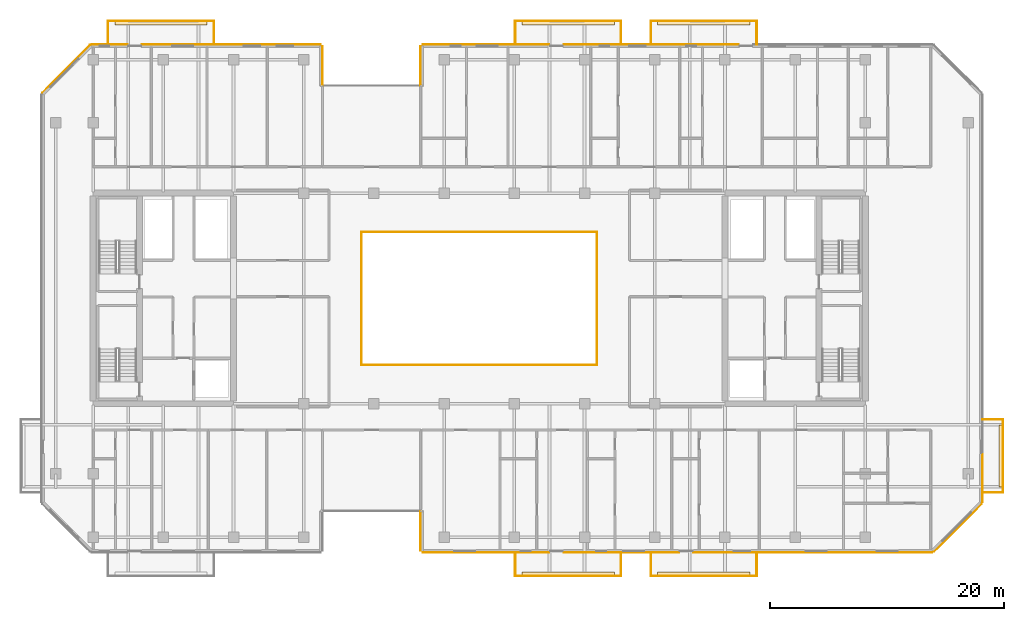
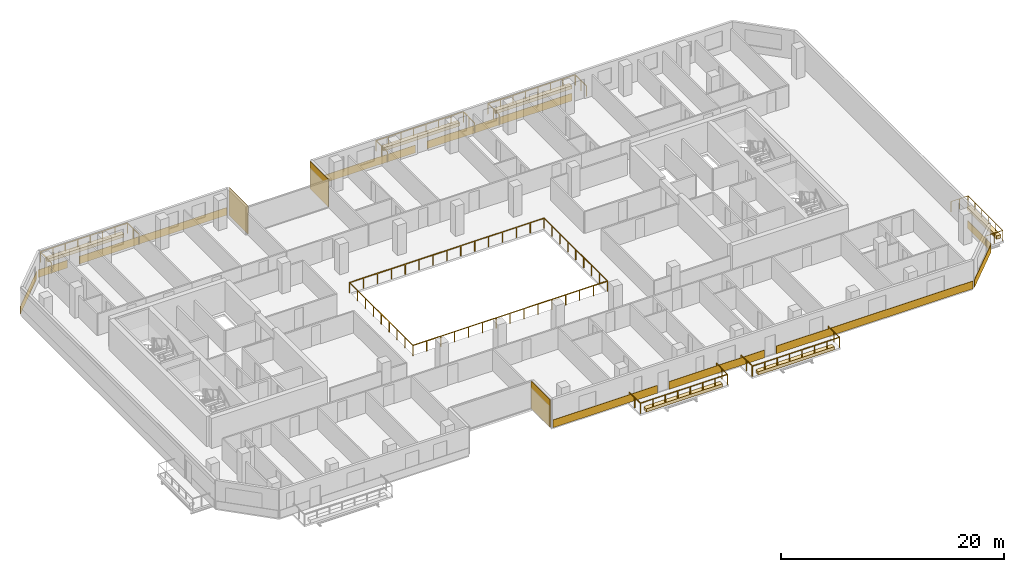
# One storey, part 18 of 19: 19 coverings, 8 railings.
"""IFC4 building model written with IfcOpenShell, lengths in metres."""

from ifc_helpers import new_model, si_unit, direction, frame, origin, origin_2d, place, context, subcontext, project, spatial, polyline, rectangle, outline, extrude, material, layer, layer_set, type_object, element, save


model = new_model("IFC4")

# Units and contexts
model_context = context("Model", 3, precision=1e-05, world=origin(), true_north=direction((0.0, 1.0)))
body_context = subcontext(model_context, "Body", "Model", "MODEL_VIEW")
ifc_project = project(units=[si_unit("LENGTHUNIT", "METRE"), si_unit("AREAUNIT", "SQUARE_METRE"), si_unit("VOLUMEUNIT", "CUBIC_METRE"), si_unit("PLANEANGLEUNIT", "RADIAN"), si_unit("MASSUNIT", "GRAM", prefix="KILO")], contexts=[model_context])

# Site, building, storey
site_placement = place(None, origin())
site = spatial("IfcSite", under=ifc_project, at=site_placement, CompositionType="ELEMENT")
building_placement = place(site_placement, origin())
building = spatial("IfcBuilding", under=site, at=building_placement, Name="Tanjung Sevakor Pilgrim Tower", CompositionType="ELEMENT")
storey_placement = place(building_placement, frame((0.0, 0.0, 132.0)))
storey = spatial("IfcBuildingStorey", under=building, at=storey_placement, Name="L36", CompositionType="ELEMENT", Elevation=132.0)

# Coverings
ifc_material_1 = material(Name="Reconstructed Limestone Cladding", Category="masonry")
ifc_layer_1 = layer(ifc_material_1, 0.044921875)
ifc_layer_set_1 = layer_set([ifc_layer_1], Name="COV-CLAD-LIMESTONE")
covering_type_1 = type_object("IfcCoveringType", Name="COV-CLAD-LIMESTONE", PredefinedType="CLADDING", material=ifc_layer_set_1)
covering_1_placement = place(storey_placement, frame((51.9775390625, 13.72509765625, 0.02001953125), z_axis=(0.0, 0.0, 1.0), x_axis=(0.0, -1.0, 0.0)))
element("IfcCovering", 1, at=covering_1_placement, inside=storey, type_object=covering_type_1, Name="L36 Warm Limestone Wall Cladding EW-L36-MAIN-4", PredefinedType="CLADDING", context=body_context, shape_type="SweptSolid", body=[
    extrude(rectangle(XDim=3.360107421875, YDim=0.044921875, at=origin_2d()), origin(), (0.0, 0.0, 1.0), 3.0400390625),
])
covering_2_placement = place(storey_placement, frame((57.577392578125, 11.87744140625, 0.009765625), z_axis=(0.0, 0.0, 1.0), x_axis=(1.0, 0.0, 0.0)))
element("IfcCovering", 2, at=covering_2_placement, inside=storey, type_object=covering_type_1, Name="L36 Warm Limestone Sill Spandrel EW-L36-MAIN-5-1", PredefinedType="CLADDING", context=body_context, shape_type="SweptSolid", body=[
    extrude(rectangle(XDim=10.824951171875, YDim=0.044921875, at=origin_2d()), origin(), (0.0, 0.0, 1.0), 0.840087890625),
])
covering_3_placement = place(storey_placement, frame((69.14990234375, 11.87744140625, 0.009765625), z_axis=(0.0, 0.0, 1.0), x_axis=(1.0, 0.0, 0.0)))
element("IfcCovering", 3, at=covering_3_placement, inside=storey, type_object=covering_type_1, Name="L36 Warm Limestone Sill Spandrel EW-L36-MAIN-5-2", PredefinedType="CLADDING", context=body_context, shape_type="SweptSolid", body=[
    extrude(rectangle(XDim=9.8798828125, YDim=0.044921875, at=origin_2d()), origin(), (0.0, 0.0, 1.0), 0.840087890625),
])
covering_4_placement = place(storey_placement, frame((85.509033203125, 11.87744140625, 0.009765625), z_axis=(0.0, 0.0, 1.0), x_axis=(1.0, 0.0, 0.0)))
element("IfcCovering", 4, at=covering_4_placement, inside=storey, type_object=covering_type_1, Name="L36 Warm Limestone Sill Spandrel EW-L36-MAIN-5-3", PredefinedType="CLADDING", context=body_context, shape_type="SweptSolid", body=[
    extrude(rectangle(XDim=20.398193359375, YDim=0.044921875, at=origin_2d()), origin(), (0.0, 0.0, 1.0), 0.840087890625),
])
covering_5_placement = place(storey_placement, frame((97.916015625, 13.984130859375, 0.009765625), z_axis=(0.0, 0.0, 1.0), x_axis=(0.707106781187, 0.707106781187, 0.0)))
element("IfcCovering", 5, at=covering_5_placement, inside=storey, type_object=covering_type_1, Name="L36 Warm Limestone Sill Spandrel EW-CHM-L36-MAIN-5-1", PredefinedType="CLADDING", context=body_context, shape_type="SweptSolid", body=[
    extrude(rectangle(XDim=5.756103515625, YDim=0.044921875, at=origin_2d()), origin(), (0.0, 0.0, 1.0), 0.840087890625),
])
covering_6_placement = place(storey_placement, frame((100.0224609375, 18.240966796875, 0.009765625), z_axis=(0.0, 0.0, 1.0), x_axis=(0.0, 1.0, 0.0)))
element("IfcCovering", 6, at=covering_6_placement, inside=storey, type_object=covering_type_1, Name="L36 Warm Limestone Sill Spandrel EW-L36-MAIN-7-1", PredefinedType="CLADDING", context=body_context, shape_type="SweptSolid", body=[
    extrude(rectangle(XDim=4.09814453125, YDim=0.044921875, at=origin_2d()), origin(), (0.0, 0.0, 1.0), 0.840087890625),
])
covering_7_placement = place(storey_placement, frame((71.699951171875, 55.322509765625, 0.009765625), z_axis=(0.0, 0.0, 1.0), x_axis=(-1.0, 0.0, 0.0)))
element("IfcCovering", 7, at=covering_7_placement, inside=storey, type_object=covering_type_1, Name="L36 Warm Limestone Sill Spandrel EW-L36-MAIN-9-2", PredefinedType="CLADDING", context=body_context, shape_type="SweptSolid", body=[
    extrude(rectangle(XDim=14.97998046875, YDim=0.044921875, at=origin_2d()), origin(), (0.0, 0.0, 1.0), 0.840087890625),
])
covering_8_placement = place(storey_placement, frame((57.577392578125, 55.322509765625, 0.009765625), z_axis=(0.0, 0.0, 1.0), x_axis=(-1.0, 0.0, 0.0)))
element("IfcCovering", 8, at=covering_8_placement, inside=storey, type_object=covering_type_1, Name="L36 Warm Limestone Sill Spandrel EW-L36-MAIN-9-3", PredefinedType="CLADDING", context=body_context, shape_type="SweptSolid", body=[
    extrude(rectangle(XDim=10.824951171875, YDim=0.044921875, at=origin_2d()), origin(), (0.0, 0.0, 1.0), 0.840087890625),
])
for number, where, z_axis, x_axis, name in (
    (9, (51.9775390625, 53.47509765625, 0.02001953125), (0.0, 0.0, 1.0), (0.0, -1.0, 0.0), "L36 Warm Limestone Wall Cladding EW-L36-MAIN-10"),
    (10, (43.62255859375, 53.47509765625, 0.02001953125), (0.0, 0.0, 1.0), (0.0, 1.0, 0.0), "L36 Warm Limestone Wall Cladding EW-L36-MAIN-12"),
):
    element("IfcCovering", number, at=place(storey_placement, frame(where, z_axis=z_axis, x_axis=x_axis)), inside=storey, type_object=covering_type_1, Name=name, PredefinedType="CLADDING", context=body_context, shape_type="SweptSolid", body=[
        extrude(rectangle(XDim=3.360107421875, YDim=0.044921875, at=origin_2d()), origin(), (0.0, 0.0, 1.0), 3.0400390625),
    ])
covering_9_placement = place(storey_placement, frame((35.797607421875, 55.322509765625, 0.009765625), z_axis=(0.0, 0.0, 1.0), x_axis=(-1.0, 0.0, 0.0)))
element("IfcCovering", 11, at=covering_9_placement, inside=storey, type_object=covering_type_1, Name="L36 Warm Limestone Sill Spandrel EW-L36-MAIN-13-1", PredefinedType="CLADDING", context=body_context, shape_type="SweptSolid", body=[
    extrude(rectangle(XDim=15.27490234375, YDim=0.044921875, at=origin_2d()), origin(), (0.0, 0.0, 1.0), 0.840087890625),
])
covering_10_placement = place(storey_placement, frame((25.416015625, 55.322509765625, 0.009765625), z_axis=(0.0, 0.0, 1.0), x_axis=(-1.0, 0.0, 0.0)))
element("IfcCovering", 12, at=covering_10_placement, inside=storey, type_object=covering_type_1, Name="L36 Warm Limestone Sill Spandrel EW-L36-MAIN-13-2", PredefinedType="CLADDING", context=body_context, shape_type="SweptSolid", body=[
    extrude(rectangle(XDim=3.048095703125, YDim=0.044921875, at=origin_2d()), origin(), (0.0, 0.0, 1.0), 0.840087890625),
])
covering_11_placement = place(storey_placement, frame((21.68408203125, 53.2158203125, 0.009765625), z_axis=(0.0, 0.0, 1.0), x_axis=(-0.707106781187, -0.707106781187, 0.0)))
element("IfcCovering", 13, at=covering_11_placement, inside=storey, type_object=covering_type_1, Name="L36 Warm Limestone Sill Spandrel EW-CHM-L36-MAIN-13-1", PredefinedType="CLADDING", context=body_context, shape_type="SweptSolid", body=[
    extrude(rectangle(XDim=5.756103515625, YDim=0.044921875, at=origin_2d()), origin(), (0.0, 0.0, 1.0), 0.840087890625),
])
ifc_material_2 = material(Name="Vegetated Modular Planter Assembly", Category="organic")
ifc_layer_2 = layer(ifc_material_2, 0.35009765625)
ifc_layer_set_2 = layer_set([ifc_layer_2], Name="COV-GRN-TROUGH")
covering_type_2 = type_object("IfcCoveringType", Name="COV-GRN-TROUGH", PredefinedType="CLADDING", material=ifc_layer_set_2)
covering_12_placement = place(storey_placement, origin())
element("IfcCovering", 14, at=covering_12_placement, inside=storey, type_object=covering_type_2, Name="L36 Planted Landscape Hedge Trough BGRN-L36-MAIN-N1", PredefinedType="CLADDING", context=body_context, shape_type="SweptSolid", body=[
    extrude(outline(polyline([(25.85009765625, 56.9599609375), (33.75, 56.9599609375), (33.75, 57.39990234375), (25.85009765625, 57.39990234375), (25.85009765625, 56.9599609375)])), origin(), (0.0, 0.0, 1.0), 0.35009765625),
])
covering_13_placement = place(storey_placement, origin())
element("IfcCovering", 15, at=covering_13_placement, inside=storey, type_object=covering_type_2, Name="L36 Planted Landscape Hedge Trough BGRN-L36-MAIN-S2", PredefinedType="CLADDING", context=body_context, shape_type="SweptSolid", body=[
    extrude(outline(polyline([(60.64990234375, 9.800048828125), (68.550048828125, 9.800048828125), (68.550048828125, 10.239990234375), (60.64990234375, 10.239990234375), (60.64990234375, 9.800048828125)])), origin(), (0.0, 0.0, 1.0), 0.35009765625),
])
covering_14_placement = place(storey_placement, origin())
element("IfcCovering", 16, at=covering_14_placement, inside=storey, type_object=covering_type_2, Name="L36 Planted Landscape Hedge Trough BGRN-L36-MAIN-N2", PredefinedType="CLADDING", context=body_context, shape_type="SweptSolid", body=[
    extrude(outline(polyline([(60.64990234375, 56.9599609375), (68.550048828125, 56.9599609375), (68.550048828125, 57.39990234375), (60.64990234375, 57.39990234375), (60.64990234375, 56.9599609375)])), origin(), (0.0, 0.0, 1.0), 0.35009765625),
])
covering_15_placement = place(storey_placement, origin())
element("IfcCovering", 17, at=covering_15_placement, inside=storey, type_object=covering_type_2, Name="L36 Planted Landscape Hedge Trough BGRN-L36-MAIN-S3", PredefinedType="CLADDING", context=body_context, shape_type="SweptSolid", body=[
    extrude(outline(polyline([(72.25, 9.800048828125), (80.14990234375, 9.800048828125), (80.14990234375, 10.239990234375), (72.25, 10.239990234375), (72.25, 9.800048828125)])), origin(), (0.0, 0.0, 1.0), 0.35009765625),
])
covering_16_placement = place(storey_placement, origin())
element("IfcCovering", 18, at=covering_16_placement, inside=storey, type_object=covering_type_2, Name="L36 Planted Landscape Hedge Trough BGRN-L36-MAIN-N3", PredefinedType="CLADDING", context=body_context, shape_type="SweptSolid", body=[
    extrude(outline(polyline([(72.25, 56.9599609375), (80.14990234375, 56.9599609375), (80.14990234375, 57.39990234375), (72.25, 57.39990234375), (72.25, 56.9599609375)])), origin(), (0.0, 0.0, 1.0), 0.35009765625),
])
covering_17_placement = place(storey_placement, origin())
element("IfcCovering", 19, at=covering_17_placement, inside=storey, type_object=covering_type_2, Name="L36 Planted Landscape Hedge Trough BGRN-L36-MAIN-E1", PredefinedType="CLADDING", context=body_context, shape_type="SweptSolid", body=[
    extrude(outline(polyline([(101.85009765625, 17.5), (101.85009765625, 22.800048828125), (101.409912109375, 22.800048828125), (101.409912109375, 17.5), (101.85009765625, 17.5)])), origin(), (0.0, 0.0, 1.0), 0.35009765625),
])

# Railings
ifc_material_3 = material(Name="Laminated Glass and Aluminium", Category="aluminium")
railing_type = type_object("IfcRailingType", Name="RL-BAL-BALUST", PredefinedType="BALUSTRADE", material=ifc_material_3)
railing_1_placement = place(storey_placement, frame((46.919921875, 27.919921875, 0.0)))
element("IfcRailing", 20, at=railing_1_placement, inside=storey, type_object=railing_type, Name="L36 Void Opening Balustrade 1A", PredefinedType="BALUSTRADE", context=body_context, shape_type="SweptSolid", body=[
    extrude(rectangle(XDim=0.0479, YDim=0.0479), frame((0.0, 0.0, 1.1259765625), z_axis=(1.0, 0.0, 0.0), x_axis=(0.0, 1.0, 0.0)), (0.0, 0.0, 1.0), 20.16015625),
    extrude(rectangle(XDim=0.0479, YDim=0.0479), frame((20.16015625, 0.0, 1.1259765625), z_axis=(0.0, 1.0, 0.0), x_axis=(-1.0, 0.0, 0.0)), (0.0, 0.0, 1.0), 11.360107421875),
    extrude(rectangle(XDim=0.042, YDim=0.042), origin(), (0.0, 0.0, 1.0), 1.101806640625),
    extrude(rectangle(XDim=0.042, YDim=0.042), frame((1.43994140625, 0.0, 0.0)), (0.0, 0.0, 1.0), 1.101806640625),
    extrude(rectangle(XDim=0.042, YDim=0.042), frame((2.880126953125, 0.0, 0.0)), (0.0, 0.0, 1.0), 1.101806640625),
    extrude(rectangle(XDim=0.042, YDim=0.042), frame((4.320068359375, 0.0, 0.0)), (0.0, 0.0, 1.0), 1.101806640625),
    extrude(rectangle(XDim=0.042, YDim=0.042), frame((5.760009765625, 0.0, 0.0)), (0.0, 0.0, 1.0), 1.101806640625),
    extrude(rectangle(XDim=0.042, YDim=0.042), frame((7.199951171875, 0.0, 0.0)), (0.0, 0.0, 1.0), 1.101806640625),
    extrude(rectangle(XDim=0.042, YDim=0.042), frame((8.64013671875, 0.0, 0.0)), (0.0, 0.0, 1.0), 1.101806640625),
    extrude(rectangle(XDim=0.042, YDim=0.042), frame((10.080078125, 0.0, 0.0)), (0.0, 0.0, 1.0), 1.101806640625),
    extrude(rectangle(XDim=0.042, YDim=0.042), frame((11.52001953125, 0.0, 0.0)), (0.0, 0.0, 1.0), 1.101806640625),
    extrude(rectangle(XDim=0.042, YDim=0.042), frame((12.960205078125, 0.0, 0.0)), (0.0, 0.0, 1.0), 1.101806640625),
    extrude(rectangle(XDim=0.042, YDim=0.042), frame((14.400146484375, 0.0, 0.0)), (0.0, 0.0, 1.0), 1.101806640625),
    extrude(rectangle(XDim=0.042, YDim=0.042), frame((15.840087890625, 0.0, 0.0)), (0.0, 0.0, 1.0), 1.101806640625),
    extrude(rectangle(XDim=0.042, YDim=0.042), frame((17.280029296875, 0.0, 0.0)), (0.0, 0.0, 1.0), 1.101806640625),
    extrude(rectangle(XDim=0.042, YDim=0.042), frame((18.72021484375, 0.0, 0.0)), (0.0, 0.0, 1.0), 1.101806640625),
    extrude(rectangle(XDim=0.042, YDim=0.042), frame((20.16015625, 0.0, 0.0)), (0.0, 0.0, 1.0), 1.101806640625),
    extrude(rectangle(XDim=0.042, YDim=0.042), frame((20.16015625, 1.419921875, 0.0)), (0.0, 0.0, 1.0), 1.101806640625),
    extrude(rectangle(XDim=0.042, YDim=0.042), frame((20.16015625, 2.840087890625, 0.0)), (0.0, 0.0, 1.0), 1.101806640625),
    extrude(rectangle(XDim=0.042, YDim=0.042), frame((20.16015625, 4.260009765625, 0.0)), (0.0, 0.0, 1.0), 1.101806640625),
    extrude(rectangle(XDim=0.042, YDim=0.042), frame((20.16015625, 5.68017578125, 0.0)), (0.0, 0.0, 1.0), 1.101806640625),
    extrude(rectangle(XDim=0.042, YDim=0.042), frame((20.16015625, 7.10009765625, 0.0)), (0.0, 0.0, 1.0), 1.101806640625),
    extrude(rectangle(XDim=0.042, YDim=0.042), frame((20.16015625, 8.52001953125, 0.0)), (0.0, 0.0, 1.0), 1.101806640625),
    extrude(rectangle(XDim=0.042, YDim=0.042), frame((20.16015625, 9.940185546875, 0.0)), (0.0, 0.0, 1.0), 1.101806640625),
    extrude(rectangle(XDim=0.042, YDim=0.042), frame((20.16015625, 11.360107421875, 0.0)), (0.0, 0.0, 1.0), 1.101806640625),
])
railing_2_placement = place(storey_placement, frame((67.080078125, 39.280029296875, 0.0)))
element("IfcRailing", 21, at=railing_2_placement, inside=storey, type_object=railing_type, Name="L36 Void Opening Balustrade 1B", PredefinedType="BALUSTRADE", context=body_context, shape_type="SweptSolid", body=[
    extrude(rectangle(XDim=0.0479, YDim=0.0479), frame((0.0, 0.0, 1.1259765625), z_axis=(-1.0, 0.0, 0.0), x_axis=(0.0, -1.0, 0.0)), (0.0, 0.0, 1.0), 20.16015625),
    extrude(rectangle(XDim=0.0479, YDim=0.0479), frame((-20.16015625, 0.0, 1.1259765625), z_axis=(0.0, -1.0, 0.0), x_axis=(1.0, 0.0, 0.0)), (0.0, 0.0, 1.0), 11.360107421875),
    extrude(rectangle(XDim=0.042, YDim=0.042), origin(), (0.0, 0.0, 1.0), 1.101806640625),
    extrude(rectangle(XDim=0.042, YDim=0.042), frame((-1.43994140625, 0.0, 0.0)), (0.0, 0.0, 1.0), 1.101806640625),
    extrude(rectangle(XDim=0.042, YDim=0.042), frame((-2.880126953125, 0.0, 0.0)), (0.0, 0.0, 1.0), 1.101806640625),
    extrude(rectangle(XDim=0.042, YDim=0.042), frame((-4.320068359375, 0.0, 0.0)), (0.0, 0.0, 1.0), 1.101806640625),
    extrude(rectangle(XDim=0.042, YDim=0.042), frame((-5.760009765625, 0.0, 0.0)), (0.0, 0.0, 1.0), 1.101806640625),
    extrude(rectangle(XDim=0.042, YDim=0.042), frame((-7.199951171875, 0.0, 0.0)), (0.0, 0.0, 1.0), 1.101806640625),
    extrude(rectangle(XDim=0.042, YDim=0.042), frame((-8.64013671875, 0.0, 0.0)), (0.0, 0.0, 1.0), 1.101806640625),
    extrude(rectangle(XDim=0.042, YDim=0.042), frame((-10.080078125, 0.0, 0.0)), (0.0, 0.0, 1.0), 1.101806640625),
    extrude(rectangle(XDim=0.042, YDim=0.042), frame((-11.52001953125, 0.0, 0.0)), (0.0, 0.0, 1.0), 1.101806640625),
    extrude(rectangle(XDim=0.042, YDim=0.042), frame((-12.960205078125, 0.0, 0.0)), (0.0, 0.0, 1.0), 1.101806640625),
    extrude(rectangle(XDim=0.042, YDim=0.042), frame((-14.400146484375, 0.0, 0.0)), (0.0, 0.0, 1.0), 1.101806640625),
    extrude(rectangle(XDim=0.042, YDim=0.042), frame((-15.840087890625, 0.0, 0.0)), (0.0, 0.0, 1.0), 1.101806640625),
    extrude(rectangle(XDim=0.042, YDim=0.042), frame((-17.280029296875, 0.0, 0.0)), (0.0, 0.0, 1.0), 1.101806640625),
    extrude(rectangle(XDim=0.042, YDim=0.042), frame((-18.72021484375, 0.0, 0.0)), (0.0, 0.0, 1.0), 1.101806640625),
    extrude(rectangle(XDim=0.042, YDim=0.042), frame((-20.16015625, 0.0, 0.0)), (0.0, 0.0, 1.0), 1.101806640625),
    extrude(rectangle(XDim=0.042, YDim=0.042), frame((-20.16015625, -1.419921875, 0.0)), (0.0, 0.0, 1.0), 1.101806640625),
    extrude(rectangle(XDim=0.042, YDim=0.042), frame((-20.16015625, -2.840087890625, 0.0)), (0.0, 0.0, 1.0), 1.101806640625),
    extrude(rectangle(XDim=0.042, YDim=0.042), frame((-20.16015625, -4.260009765625, 0.0)), (0.0, 0.0, 1.0), 1.101806640625),
    extrude(rectangle(XDim=0.042, YDim=0.042), frame((-20.16015625, -5.68017578125, 0.0)), (0.0, 0.0, 1.0), 1.101806640625),
    extrude(rectangle(XDim=0.042, YDim=0.042), frame((-20.16015625, -7.10009765625, 0.0)), (0.0, 0.0, 1.0), 1.101806640625),
    extrude(rectangle(XDim=0.042, YDim=0.042), frame((-20.16015625, -8.52001953125, 0.0)), (0.0, 0.0, 1.0), 1.101806640625),
    extrude(rectangle(XDim=0.042, YDim=0.042), frame((-20.16015625, -9.940185546875, 0.0)), (0.0, 0.0, 1.0), 1.101806640625),
    extrude(rectangle(XDim=0.042, YDim=0.042), frame((-20.16015625, -11.360107421875, 0.0)), (0.0, 0.0, 1.0), 1.101806640625),
])
railing_3_placement = place(storey_placement, frame((25.280029296875, 55.300048828125, 0.0)))
element("IfcRailing", 22, at=railing_3_placement, inside=storey, type_object=railing_type, Name="L36 Loggia Balustrade MAIN-N1", PredefinedType="BALUSTRADE", context=body_context, shape_type="SweptSolid", body=[
    extrude(rectangle(XDim=0.0479, YDim=0.0479), frame((0.0, 0.0, 1.1259765625), z_axis=(0.0, 1.0, 0.0), x_axis=(-1.0, 0.0, 0.0)), (0.0, 0.0, 1.0), 2.02001953125),
    extrude(rectangle(XDim=0.0479, YDim=0.0479), frame((0.0, 2.02001953125, 1.1259765625), z_axis=(1.0, 0.0, 0.0), x_axis=(0.0, 1.0, 0.0)), (0.0, 0.0, 1.0), 9.0400390625),
    extrude(rectangle(XDim=0.0479, YDim=0.0479), frame((9.0400390625, 2.02001953125, 1.1259765625), z_axis=(0.0, -1.0, 0.0), x_axis=(1.0, 0.0, 0.0)), (0.0, 0.0, 1.0), 2.02001953125),
    extrude(rectangle(XDim=0.042, YDim=0.042), origin(), (0.0, 0.0, 1.0), 1.101806640625),
    extrude(rectangle(XDim=0.042, YDim=0.042), frame((0.0, 1.010009765625, 0.0)), (0.0, 0.0, 1.0), 1.101806640625),
    extrude(rectangle(XDim=0.042, YDim=0.042), frame((0.0, 2.02001953125, 0.0)), (0.0, 0.0, 1.0), 1.101806640625),
    extrude(rectangle(XDim=0.042, YDim=0.042), frame((1.29150390625, 2.02001953125, 0.0)), (0.0, 0.0, 1.0), 1.101806640625),
    extrude(rectangle(XDim=0.042, YDim=0.042), frame((2.582763671875, 2.02001953125, 0.0)), (0.0, 0.0, 1.0), 1.101806640625),
    extrude(rectangle(XDim=0.042, YDim=0.042), frame((3.874267578125, 2.02001953125, 0.0)), (0.0, 0.0, 1.0), 1.101806640625),
    extrude(rectangle(XDim=0.042, YDim=0.042), frame((5.165771484375, 2.02001953125, 0.0)), (0.0, 0.0, 1.0), 1.101806640625),
    extrude(rectangle(XDim=0.042, YDim=0.042), frame((6.457275390625, 2.02001953125, 0.0)), (0.0, 0.0, 1.0), 1.101806640625),
    extrude(rectangle(XDim=0.042, YDim=0.042), frame((7.74853515625, 2.02001953125, 0.0)), (0.0, 0.0, 1.0), 1.101806640625),
    extrude(rectangle(XDim=0.042, YDim=0.042), frame((9.0400390625, 2.02001953125, 0.0)), (0.0, 0.0, 1.0), 1.101806640625),
    extrude(rectangle(XDim=0.042, YDim=0.042), frame((9.0400390625, 1.010009765625, 0.0)), (0.0, 0.0, 1.0), 1.101806640625),
    extrude(rectangle(XDim=0.042, YDim=0.042), frame((9.0400390625, 0.0, 0.0)), (0.0, 0.0, 1.0), 1.101806640625),
])
railing_4_placement = place(storey_placement, frame((60.080078125, 11.89990234375, 0.0)))
element("IfcRailing", 23, at=railing_4_placement, inside=storey, type_object=railing_type, Name="L36 Loggia Balustrade MAIN-S2", PredefinedType="BALUSTRADE", context=body_context, shape_type="SweptSolid", body=[
    extrude(rectangle(XDim=0.0479, YDim=0.0479), frame((0.0, 0.0, 1.1259765625), z_axis=(0.0, -1.0, 0.0), x_axis=(1.0, 0.0, 0.0)), (0.0, 0.0, 1.0), 2.02001953125),
    extrude(rectangle(XDim=0.0479, YDim=0.0479), frame((0.0, -2.02001953125, 1.1259765625), z_axis=(1.0, 0.0, 0.0), x_axis=(0.0, 1.0, 0.0)), (0.0, 0.0, 1.0), 9.0400390625),
    extrude(rectangle(XDim=0.0479, YDim=0.0479), frame((9.0400390625, -2.02001953125, 1.1259765625), z_axis=(0.0, 1.0, 0.0), x_axis=(-1.0, 0.0, 0.0)), (0.0, 0.0, 1.0), 2.02001953125),
    extrude(rectangle(XDim=0.042, YDim=0.042), origin(), (0.0, 0.0, 1.0), 1.101806640625),
    extrude(rectangle(XDim=0.042, YDim=0.042), frame((0.0, -1.010009765625, 0.0)), (0.0, 0.0, 1.0), 1.101806640625),
    extrude(rectangle(XDim=0.042, YDim=0.042), frame((0.0, -2.02001953125, 0.0)), (0.0, 0.0, 1.0), 1.101806640625),
    extrude(rectangle(XDim=0.042, YDim=0.042), frame((1.29150390625, -2.02001953125, 0.0)), (0.0, 0.0, 1.0), 1.101806640625),
    extrude(rectangle(XDim=0.042, YDim=0.042), frame((2.582763671875, -2.02001953125, 0.0)), (0.0, 0.0, 1.0), 1.101806640625),
    extrude(rectangle(XDim=0.042, YDim=0.042), frame((3.874267578125, -2.02001953125, 0.0)), (0.0, 0.0, 1.0), 1.101806640625),
    extrude(rectangle(XDim=0.042, YDim=0.042), frame((5.165771484375, -2.02001953125, 0.0)), (0.0, 0.0, 1.0), 1.101806640625),
    extrude(rectangle(XDim=0.042, YDim=0.042), frame((6.457275390625, -2.02001953125, 0.0)), (0.0, 0.0, 1.0), 1.101806640625),
    extrude(rectangle(XDim=0.042, YDim=0.042), frame((7.74853515625, -2.02001953125, 0.0)), (0.0, 0.0, 1.0), 1.101806640625),
    extrude(rectangle(XDim=0.042, YDim=0.042), frame((9.0400390625, -2.02001953125, 0.0)), (0.0, 0.0, 1.0), 1.101806640625),
    extrude(rectangle(XDim=0.042, YDim=0.042), frame((9.0400390625, -1.010009765625, 0.0)), (0.0, 0.0, 1.0), 1.101806640625),
    extrude(rectangle(XDim=0.042, YDim=0.042), frame((9.0400390625, 0.0, 0.0)), (0.0, 0.0, 1.0), 1.101806640625),
])
railing_5_placement = place(storey_placement, frame((60.080078125, 55.300048828125, 0.0)))
element("IfcRailing", 24, at=railing_5_placement, inside=storey, type_object=railing_type, Name="L36 Loggia Balustrade MAIN-N2", PredefinedType="BALUSTRADE", context=body_context, shape_type="SweptSolid", body=[
    extrude(rectangle(XDim=0.0479, YDim=0.0479), frame((0.0, 0.0, 1.1259765625), z_axis=(0.0, 1.0, 0.0), x_axis=(-1.0, 0.0, 0.0)), (0.0, 0.0, 1.0), 2.02001953125),
    extrude(rectangle(XDim=0.0479, YDim=0.0479), frame((0.0, 2.02001953125, 1.1259765625), z_axis=(1.0, 0.0, 0.0), x_axis=(0.0, 1.0, 0.0)), (0.0, 0.0, 1.0), 9.0400390625),
    extrude(rectangle(XDim=0.0479, YDim=0.0479), frame((9.0400390625, 2.02001953125, 1.1259765625), z_axis=(0.0, -1.0, 0.0), x_axis=(1.0, 0.0, 0.0)), (0.0, 0.0, 1.0), 2.02001953125),
    extrude(rectangle(XDim=0.042, YDim=0.042), origin(), (0.0, 0.0, 1.0), 1.101806640625),
    extrude(rectangle(XDim=0.042, YDim=0.042), frame((0.0, 1.010009765625, 0.0)), (0.0, 0.0, 1.0), 1.101806640625),
    extrude(rectangle(XDim=0.042, YDim=0.042), frame((0.0, 2.02001953125, 0.0)), (0.0, 0.0, 1.0), 1.101806640625),
    extrude(rectangle(XDim=0.042, YDim=0.042), frame((1.29150390625, 2.02001953125, 0.0)), (0.0, 0.0, 1.0), 1.101806640625),
    extrude(rectangle(XDim=0.042, YDim=0.042), frame((2.582763671875, 2.02001953125, 0.0)), (0.0, 0.0, 1.0), 1.101806640625),
    extrude(rectangle(XDim=0.042, YDim=0.042), frame((3.874267578125, 2.02001953125, 0.0)), (0.0, 0.0, 1.0), 1.101806640625),
    extrude(rectangle(XDim=0.042, YDim=0.042), frame((5.165771484375, 2.02001953125, 0.0)), (0.0, 0.0, 1.0), 1.101806640625),
    extrude(rectangle(XDim=0.042, YDim=0.042), frame((6.457275390625, 2.02001953125, 0.0)), (0.0, 0.0, 1.0), 1.101806640625),
    extrude(rectangle(XDim=0.042, YDim=0.042), frame((7.74853515625, 2.02001953125, 0.0)), (0.0, 0.0, 1.0), 1.101806640625),
    extrude(rectangle(XDim=0.042, YDim=0.042), frame((9.0400390625, 2.02001953125, 0.0)), (0.0, 0.0, 1.0), 1.101806640625),
    extrude(rectangle(XDim=0.042, YDim=0.042), frame((9.0400390625, 1.010009765625, 0.0)), (0.0, 0.0, 1.0), 1.101806640625),
    extrude(rectangle(XDim=0.042, YDim=0.042), frame((9.0400390625, 0.0, 0.0)), (0.0, 0.0, 1.0), 1.101806640625),
])
railing_6_placement = place(storey_placement, frame((71.679931640625, 11.89990234375, 0.0)))
element("IfcRailing", 25, at=railing_6_placement, inside=storey, type_object=railing_type, Name="L36 Loggia Balustrade MAIN-S3", PredefinedType="BALUSTRADE", context=body_context, shape_type="SweptSolid", body=[
    extrude(rectangle(XDim=0.0479, YDim=0.0479), frame((0.0, 0.0, 1.1259765625), z_axis=(0.0, -1.0, 0.0), x_axis=(1.0, 0.0, 0.0)), (0.0, 0.0, 1.0), 2.02001953125),
    extrude(rectangle(XDim=0.0479, YDim=0.0479), frame((0.0, -2.02001953125, 1.1259765625), z_axis=(1.0, 0.0, 0.0), x_axis=(0.0, 1.0, 0.0)), (0.0, 0.0, 1.0), 9.0400390625),
    extrude(rectangle(XDim=0.0479, YDim=0.0479), frame((9.0400390625, -2.02001953125, 1.1259765625), z_axis=(0.0, 1.0, 0.0), x_axis=(-1.0, 0.0, 0.0)), (0.0, 0.0, 1.0), 2.02001953125),
    extrude(rectangle(XDim=0.042, YDim=0.042), origin(), (0.0, 0.0, 1.0), 1.101806640625),
    extrude(rectangle(XDim=0.042, YDim=0.042), frame((0.0, -1.010009765625, 0.0)), (0.0, 0.0, 1.0), 1.101806640625),
    extrude(rectangle(XDim=0.042, YDim=0.042), frame((0.0, -2.02001953125, 0.0)), (0.0, 0.0, 1.0), 1.101806640625),
    extrude(rectangle(XDim=0.042, YDim=0.042), frame((1.29150390625, -2.02001953125, 0.0)), (0.0, 0.0, 1.0), 1.101806640625),
    extrude(rectangle(XDim=0.042, YDim=0.042), frame((2.582763671875, -2.02001953125, 0.0)), (0.0, 0.0, 1.0), 1.101806640625),
    extrude(rectangle(XDim=0.042, YDim=0.042), frame((3.874267578125, -2.02001953125, 0.0)), (0.0, 0.0, 1.0), 1.101806640625),
    extrude(rectangle(XDim=0.042, YDim=0.042), frame((5.165771484375, -2.02001953125, 0.0)), (0.0, 0.0, 1.0), 1.101806640625),
    extrude(rectangle(XDim=0.042, YDim=0.042), frame((6.457275390625, -2.02001953125, 0.0)), (0.0, 0.0, 1.0), 1.101806640625),
    extrude(rectangle(XDim=0.042, YDim=0.042), frame((7.74853515625, -2.02001953125, 0.0)), (0.0, 0.0, 1.0), 1.101806640625),
    extrude(rectangle(XDim=0.042, YDim=0.042), frame((9.0400390625, -2.02001953125, 0.0)), (0.0, 0.0, 1.0), 1.101806640625),
    extrude(rectangle(XDim=0.042, YDim=0.042), frame((9.0400390625, -1.010009765625, 0.0)), (0.0, 0.0, 1.0), 1.101806640625),
    extrude(rectangle(XDim=0.042, YDim=0.042), frame((9.0400390625, 0.0, 0.0)), (0.0, 0.0, 1.0), 1.101806640625),
])
railing_7_placement = place(storey_placement, frame((71.679931640625, 55.300048828125, 0.0)))
element("IfcRailing", 26, at=railing_7_placement, inside=storey, type_object=railing_type, Name="L36 Loggia Balustrade MAIN-N3", PredefinedType="BALUSTRADE", context=body_context, shape_type="SweptSolid", body=[
    extrude(rectangle(XDim=0.0479, YDim=0.0479), frame((0.0, 0.0, 1.1259765625), z_axis=(0.0, 1.0, 0.0), x_axis=(-1.0, 0.0, 0.0)), (0.0, 0.0, 1.0), 2.02001953125),
    extrude(rectangle(XDim=0.0479, YDim=0.0479), frame((0.0, 2.02001953125, 1.1259765625), z_axis=(1.0, 0.0, 0.0), x_axis=(0.0, 1.0, 0.0)), (0.0, 0.0, 1.0), 9.0400390625),
    extrude(rectangle(XDim=0.0479, YDim=0.0479), frame((9.0400390625, 2.02001953125, 1.1259765625), z_axis=(0.0, -1.0, 0.0), x_axis=(1.0, 0.0, 0.0)), (0.0, 0.0, 1.0), 2.02001953125),
    extrude(rectangle(XDim=0.042, YDim=0.042), origin(), (0.0, 0.0, 1.0), 1.101806640625),
    extrude(rectangle(XDim=0.042, YDim=0.042), frame((0.0, 1.010009765625, 0.0)), (0.0, 0.0, 1.0), 1.101806640625),
    extrude(rectangle(XDim=0.042, YDim=0.042), frame((0.0, 2.02001953125, 0.0)), (0.0, 0.0, 1.0), 1.101806640625),
    extrude(rectangle(XDim=0.042, YDim=0.042), frame((1.29150390625, 2.02001953125, 0.0)), (0.0, 0.0, 1.0), 1.101806640625),
    extrude(rectangle(XDim=0.042, YDim=0.042), frame((2.582763671875, 2.02001953125, 0.0)), (0.0, 0.0, 1.0), 1.101806640625),
    extrude(rectangle(XDim=0.042, YDim=0.042), frame((3.874267578125, 2.02001953125, 0.0)), (0.0, 0.0, 1.0), 1.101806640625),
    extrude(rectangle(XDim=0.042, YDim=0.042), frame((5.165771484375, 2.02001953125, 0.0)), (0.0, 0.0, 1.0), 1.101806640625),
    extrude(rectangle(XDim=0.042, YDim=0.042), frame((6.457275390625, 2.02001953125, 0.0)), (0.0, 0.0, 1.0), 1.101806640625),
    extrude(rectangle(XDim=0.042, YDim=0.042), frame((7.74853515625, 2.02001953125, 0.0)), (0.0, 0.0, 1.0), 1.101806640625),
    extrude(rectangle(XDim=0.042, YDim=0.042), frame((9.0400390625, 2.02001953125, 0.0)), (0.0, 0.0, 1.0), 1.101806640625),
    extrude(rectangle(XDim=0.042, YDim=0.042), frame((9.0400390625, 1.010009765625, 0.0)), (0.0, 0.0, 1.0), 1.101806640625),
    extrude(rectangle(XDim=0.042, YDim=0.042), frame((9.0400390625, 0.0, 0.0)), (0.0, 0.0, 1.0), 1.101806640625),
])
railing_8_placement = place(storey_placement, frame((100.0, 17.030029296875, 0.0)))
element("IfcRailing", 27, at=railing_8_placement, inside=storey, type_object=railing_type, Name="L36 Loggia Balustrade MAIN-E1", PredefinedType="BALUSTRADE", context=body_context, shape_type="SweptSolid", body=[
    extrude(rectangle(XDim=0.0479, YDim=0.0479), frame((0.0, 0.0, 1.1259765625), z_axis=(1.0, 0.0, 0.0), x_axis=(0.0, 1.0, 0.0)), (0.0, 0.0, 1.0), 1.77001953125),
    extrude(rectangle(XDim=0.0479, YDim=0.0479), frame((1.77001953125, 0.0, 1.1259765625), z_axis=(0.0, 1.0, 0.0), x_axis=(-1.0, 0.0, 0.0)), (0.0, 0.0, 1.0), 6.239990234375),
    extrude(rectangle(XDim=0.0479, YDim=0.0479), frame((1.77001953125, 6.239990234375, 1.1259765625), z_axis=(-1.0, 0.0, 0.0), x_axis=(0.0, -1.0, 0.0)), (0.0, 0.0, 1.0), 1.77001953125),
    extrude(rectangle(XDim=0.042, YDim=0.042), origin(), (0.0, 0.0, 1.0), 1.101806640625),
    extrude(rectangle(XDim=0.042, YDim=0.042), frame((0.885009765625, 0.0, 0.0)), (0.0, 0.0, 1.0), 1.101806640625),
    extrude(rectangle(XDim=0.042, YDim=0.042), frame((1.77001953125, 0.0, 0.0)), (0.0, 0.0, 1.0), 1.101806640625),
    extrude(rectangle(XDim=0.042, YDim=0.042), frame((1.77001953125, 1.248046875, 0.0)), (0.0, 0.0, 1.0), 1.101806640625),
    extrude(rectangle(XDim=0.042, YDim=0.042), frame((1.77001953125, 2.49609375, 0.0)), (0.0, 0.0, 1.0), 1.101806640625),
    extrude(rectangle(XDim=0.042, YDim=0.042), frame((1.77001953125, 3.743896484375, 0.0)), (0.0, 0.0, 1.0), 1.101806640625),
    extrude(rectangle(XDim=0.042, YDim=0.042), frame((1.77001953125, 4.991943359375, 0.0)), (0.0, 0.0, 1.0), 1.101806640625),
    extrude(rectangle(XDim=0.042, YDim=0.042), frame((1.77001953125, 6.239990234375, 0.0)), (0.0, 0.0, 1.0), 1.101806640625),
    extrude(rectangle(XDim=0.042, YDim=0.042), frame((0.885009765625, 6.239990234375, 0.0)), (0.0, 0.0, 1.0), 1.101806640625),
    extrude(rectangle(XDim=0.042, YDim=0.042), frame((0.0, 6.239990234375, 0.0)), (0.0, 0.0, 1.0), 1.101806640625),
])

save(model, "model.ifc")
